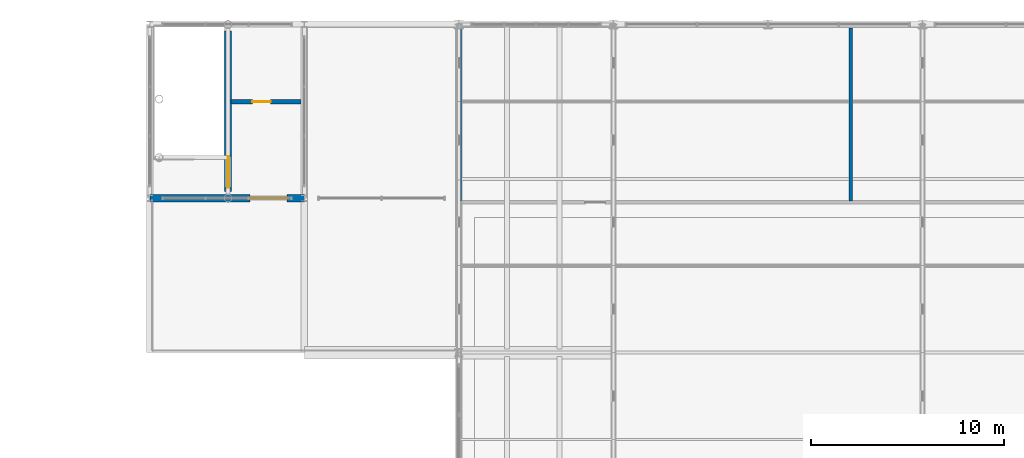
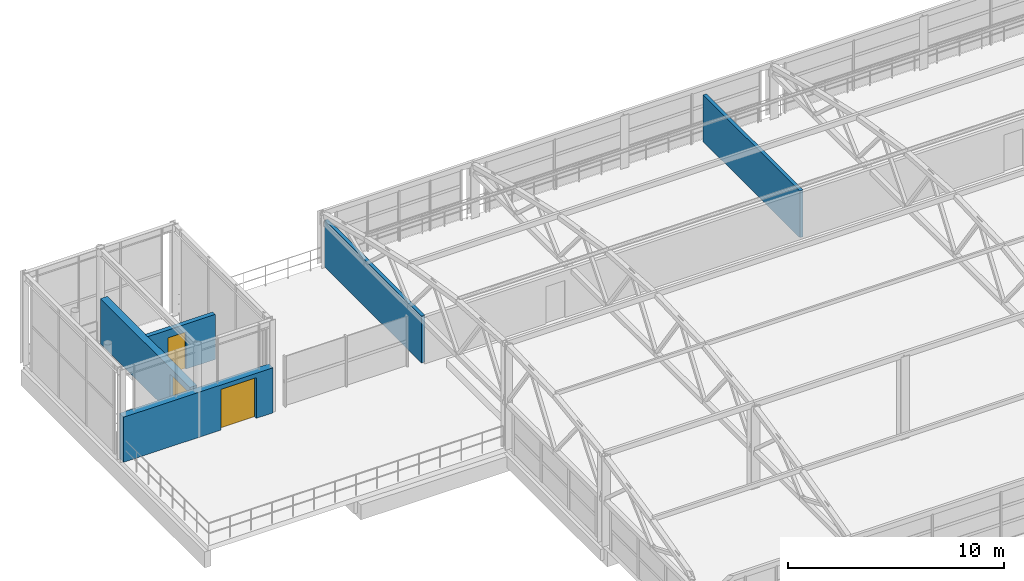
# One storey, part 37 of 50: 5 walls, 3 doors, 3 openings.
"""IFC4 building model written with IfcOpenShell, lengths in metres."""

from ifc_helpers import new_model, si_unit, derived_unit, direction, frame, frame_2d, origin, place, context, subcontext, project, spatial, rectangle, extrude, material, layer, layer_set, type_object, element, fill, save


model = new_model("IFC4")

# Units and contexts
model_context = context("Model", 3, precision=1e-05, world=origin(), true_north=direction((0.0, 1.0)))
body_context = subcontext(model_context, "Body", "Model", "MODEL_VIEW")
ifc_project = project(units=[si_unit("LENGTHUNIT", "METRE"), si_unit("AREAUNIT", "SQUARE_METRE"), si_unit("VOLUMEUNIT", "CUBIC_METRE"), si_unit("PLANEANGLEUNIT", "RADIAN"), si_unit("MASSUNIT", "GRAM", prefix="KILO"), si_unit("THERMODYNAMICTEMPERATUREUNIT", "KELVIN"), derived_unit("THERMALTRANSMITTANCEUNIT", [(si_unit("POWERUNIT", "WATT"), 1), (si_unit("AREAUNIT", "SQUARE_METRE"), -1), (si_unit("THERMODYNAMICTEMPERATUREUNIT", "KELVIN"), -1)])], contexts=[model_context])

# Site, building, storey
site_placement = place(None, origin())
site = spatial("IfcSite", under=ifc_project, at=site_placement, CompositionType="ELEMENT")
building_placement = place(site_placement, origin())
building = spatial("IfcBuilding", under=site, at=building_placement, Name="Haiyu Intermodal Mobility Hub", CompositionType="ELEMENT")
storey_placement = place(building_placement, frame((0.0, 0.0, 25.10009765625)))
storey = spatial("IfcBuildingStorey", under=building, at=storey_placement, Name="L06", CompositionType="ELEMENT", Elevation=25.10009765625)

# Wall, opening, door
ifc_material_1 = material(Name="Autoclaved aerated concrete block A5.0", Category="concrete")
ifc_layer_1 = layer(ifc_material_1, 0.22998046875)
ifc_layer_set_1 = layer_set([ifc_layer_1], Name="Autoclaved aerated concrete block A5.0")
wall_type_1 = type_object("IfcWallType", Name="WAL-WI01", PredefinedType="PARTITIONING", material=ifc_layer_set_1)
wall_1_placement = place(storey_placement, frame((26.2099609375, 144.0, 0.0), z_axis=(0.0, 0.0, 1.0), x_axis=(1.0, 0.0, 0.0)))
wall_1 = element("IfcWall", 1, at=wall_1_placement, inside=storey, type_object=wall_type_1, Name="WAL-CORE-C3-LFT-L06", PredefinedType="PARTITIONING", context=body_context, shape_type="SweptSolid", body=[
    extrude(rectangle(XDim=3.630126953125, YDim=0.22998046875, at=frame_2d((1.81494140625, 0.0))), origin(), (0.0, 0.0, 1.0), 2.5498046875),
])
opening_1_placement = place(wall_1_placement, frame((1.10009765625, 0.0, 0.0)))
opening_1 = element("IfcOpeningElement", 2, at=opening_1_placement, cuts=wall_1, Name="Opening DI07", PredefinedType="OPENING", context=body_context, shape_type="SweptSolid", body=[
    extrude(rectangle(XDim=0.949951171875, YDim=2.10009765625, at=frame_2d((0.47509765625, 1.050048828125))), frame((0.0, 0.125, 0.0), z_axis=(0.0, -1.0, 0.0), x_axis=(1.0, 0.0, 0.0)), (0.0, 0.0, 1.0), 0.25),
])
ifc_material_2 = material(Name="Steel Q355C", Category="steel")
door_type_1 = type_object("IfcDoorType", Name="DR-DI07", OperationType="NOTDEFINED", PredefinedType="DOOR", material=ifc_material_2)
door_1_placement = place(opening_1_placement, origin())
door_1 = element("IfcDoor", 3, at=door_1_placement, inside=storey, type_object=door_type_1, Name="Core C3 Accessible WC Door L06", OperationType="SINGLE_SWING_RIGHT", OverallHeight=2.10009765625, OverallWidth=0.949951171875, PredefinedType="DOOR", context=body_context, shape_type="SweptSolid", body=[
    extrude(rectangle(XDim=0.949951171875, YDim=2.10009765625, at=frame_2d((0.47509765625, 1.050048828125))), frame((0.0, 0.02490234375, 0.0), z_axis=(0.0, -1.0, 0.0), x_axis=(1.0, 0.0, 0.0)), (0.0, 0.0, 1.0), 0.050048828125),
])
fill(opening_1, door_1)

# Walls
ifc_layer_2 = layer(ifc_material_1, 0.179931640625)
ifc_layer_set_2 = layer_set([ifc_layer_2], Name="Autoclaved aerated concrete block A5.0")
wall_type_2 = type_object("IfcWallType", Name="WAL-WI03", PredefinedType="PARTITIONING", material=ifc_layer_set_2)
for number, where, z_axis, x_axis, name in (
    (4, (38.050048828125, 138.85009765625, 0.0), (0.0, 0.0, 1.0), (0.0, 1.0, 0.0), "WAL-INT-0047"),
    (5, (58.300048828125, 138.85009765625, 0.0), (0.0, 0.0, 1.0), (0.0, 1.0, 0.0), "WAL-INT-0048"),
):
    element("IfcWall", number, at=place(storey_placement, frame(where, z_axis=z_axis, x_axis=x_axis)), inside=storey, type_object=wall_type_2, Name=name, PredefinedType="PARTITIONING", context=body_context, shape_type="SweptSolid", body=[
        extrude(rectangle(XDim=8.969970703125, YDim=0.179931640625, at=frame_2d((4.48486328125, 0.0))), origin(), (0.0, 0.0, 1.0), 2.64990234375),
    ])

# Wall, opening, door
ifc_material_3 = material(Name="Concrete C40", Category="concrete")
ifc_layer_3 = layer(ifc_material_3, 0.3798828125)
ifc_layer_set_3 = layer_set([ifc_layer_3], Name="Concrete C40")
wall_type_3 = type_object("IfcWallType", Name="WAL-WS03", PredefinedType="SHEAR", material=ifc_layer_set_3)
wall_2_placement = place(storey_placement, frame((22.0, 139.0, 0.0), z_axis=(0.0, 0.0, 1.0), x_axis=(1.0, 0.0, 0.0)))
wall_2 = element("IfcWall", 6, at=wall_2_placement, inside=storey, type_object=wall_type_3, Name="WAL-CORE-C3-S-L06", PredefinedType="SHEAR", context=body_context, shape_type="SweptSolid", body=[
    extrude(rectangle(XDim=8.0, YDim=0.3798828125, at=frame_2d((4.0, 0.0))), origin(), (0.0, 0.0, 1.0), 2.5498046875),
])
opening_2_placement = place(wall_2_placement, frame((5.199951171875, 0.0, 0.0)))
opening_2 = element("IfcOpeningElement", 7, at=opening_2_placement, cuts=wall_2, Name="Opening DI01", PredefinedType="OPENING", context=body_context, shape_type="SweptSolid", body=[
    extrude(rectangle(XDim=1.89990234375, YDim=2.300048828125, at=frame_2d((0.949951171875, 1.14990234375))), frame((0.0, 0.199951171875, 0.0), z_axis=(0.0, -1.0, 0.0), x_axis=(1.0, 0.0, 0.0)), (0.0, 0.0, 1.0), 0.39990234375),
])
door_type_2 = type_object("IfcDoorType", Name="DR-DI01", OperationType="DOUBLE_DOOR_SINGLE_SWING", PredefinedType="DOOR", material=ifc_material_2)
door_2_placement = place(opening_2_placement, origin())
door_2 = element("IfcDoor", 8, at=door_2_placement, inside=storey, type_object=door_type_2, Name="Core C3 Lobby Fire Door L06", OperationType="SINGLE_SWING_LEFT", OverallHeight=2.300048828125, OverallWidth=1.89990234375, PredefinedType="DOOR", context=body_context, shape_type="SweptSolid", body=[
    extrude(rectangle(XDim=1.89990234375, YDim=2.300048828125, at=frame_2d((0.949951171875, 1.14990234375))), frame((0.0, 0.02490234375, 0.0), z_axis=(0.0, -1.0, 0.0), x_axis=(1.0, 0.0, 0.0)), (0.0, 0.0, 1.0), 0.050048828125),
])
fill(opening_2, door_2)

wall_3_placement = place(storey_placement, frame((26.050048828125, 139.35009765625, 0.0), z_axis=(0.0, 0.0, 1.0), x_axis=(0.0, 1.0, 0.0)))
wall_3 = element("IfcWall", 9, at=wall_3_placement, inside=storey, type_object=wall_type_3, Name="WAL-CORE-C3-MID-L06", PredefinedType="SHEAR", context=body_context, shape_type="SweptSolid", body=[
    extrude(rectangle(XDim=8.2998046875, YDim=0.3798828125, at=frame_2d((4.14990234375, 0.0))), origin(), (0.0, 0.0, 1.0), 2.5498046875),
])
opening_3_placement = place(wall_3_placement, frame((0.179931640625, 0.0, 0.0)))
opening_3 = element("IfcOpeningElement", 10, at=opening_3_placement, cuts=wall_3, Name="Opening DI02", PredefinedType="OPENING", context=body_context, shape_type="SweptSolid", body=[
    extrude(rectangle(XDim=1.64990234375, YDim=2.199951171875, at=frame_2d((0.824951171875, 1.10009765625))), frame((0.0, 0.199951171875, 0.0), z_axis=(0.0, -1.0, 0.0), x_axis=(1.0, 0.0, 0.0)), (0.0, 0.0, 1.0), 0.39990234375),
])
door_type_3 = type_object("IfcDoorType", Name="DR-DI02", OperationType="DOUBLE_DOOR_SINGLE_SWING", PredefinedType="DOOR", material=ifc_material_2)
door_3_placement = place(opening_3_placement, origin())
door_3 = element("IfcDoor", 11, at=door_3_placement, inside=storey, type_object=door_type_3, Name="Stair ST02 Fire Door L06", OperationType="SINGLE_SWING_LEFT", OverallHeight=2.199951171875, OverallWidth=1.64990234375, PredefinedType="DOOR", context=body_context, shape_type="SweptSolid", body=[
    extrude(rectangle(XDim=1.64990234375, YDim=2.199951171875, at=frame_2d((0.824951171875, 1.10009765625))), frame((0.0, 0.02490234375, 0.0), z_axis=(0.0, -1.0, 0.0), x_axis=(1.0, 0.0, 0.0)), (0.0, 0.0, 1.0), 0.050048828125),
])
fill(opening_3, door_3)

save(model, "model.ifc")
